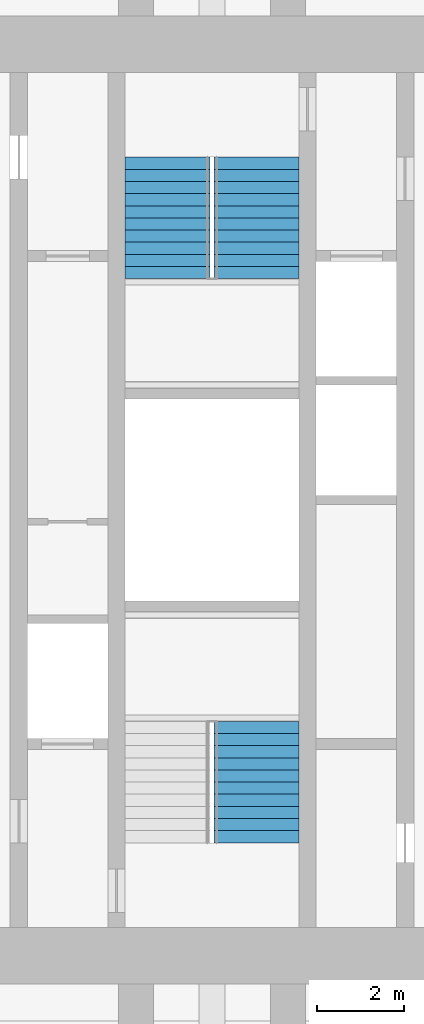
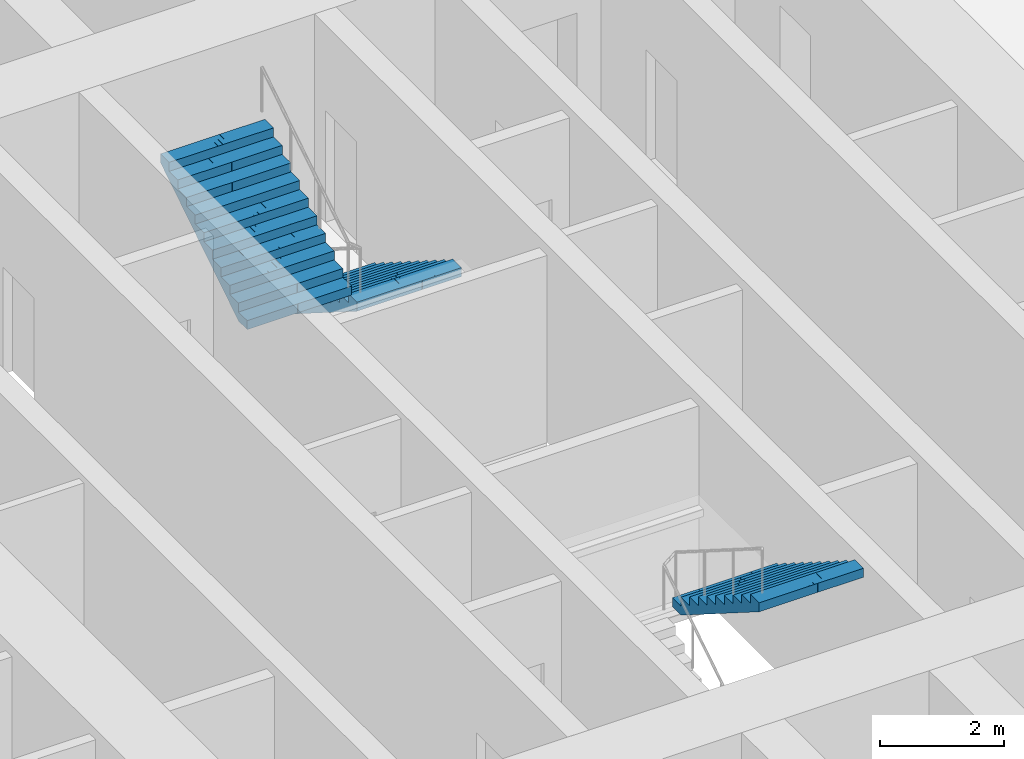
# One storey, part 16 of 17: 3 stair flights, 2 elements without a shape of their own.
"""IFC4 building model written with IfcOpenShell, lengths in metres."""

from ifc_helpers import new_model, si_unit, direction, frame, origin, place, context, subcontext, project, spatial, polyline, outline, extrude, material, type_object, element, aggregate, save


model = new_model("IFC4")

# Units and contexts
model_context = context("Model", 3, precision=1e-05, world=origin(), true_north=direction((0.0, 1.0)))
body_context = subcontext(model_context, "Body", "Model", "MODEL_VIEW")
ifc_project = project(units=[si_unit("LENGTHUNIT", "METRE"), si_unit("AREAUNIT", "SQUARE_METRE"), si_unit("VOLUMEUNIT", "CUBIC_METRE"), si_unit("PLANEANGLEUNIT", "RADIAN"), si_unit("MASSUNIT", "GRAM", prefix="KILO")], contexts=[model_context])

# Site, building, storey
site_placement = place(None, origin())
site = spatial("IfcSite", under=ifc_project, at=site_placement, CompositionType="ELEMENT")
building_placement = place(site_placement, origin())
building = spatial("IfcBuilding", under=site, at=building_placement, Name="Mizan Broadcast Tower", CompositionType="ELEMENT")
storey_placement = place(building_placement, frame((0.0, 0.0, 228.300048828125)))
storey = spatial("IfcBuildingStorey", under=building, at=storey_placement, Name="L53", CompositionType="ELEMENT", Elevation=228.300048828125)

# Stair, stair flight
ifc_material_1 = material(Name="Concrete C40/50", Category="concrete")
stair_type = type_object("IfcStairType", Name="EXIT STAIR", PredefinedType="HALF_TURN_STAIR", material=ifc_material_1)
stair_1_placement = place(storey_placement, origin())
stair_1 = element("IfcStair", 1, at=stair_1_placement, inside=storey, type_object=stair_type, Name="Stair A L53", PredefinedType="HALF_TURN_STAIR")
ifc_material_2 = material(Name="Concrete C40/50", Category="concrete")
stair_flight_type = type_object("IfcStairFlightType", Name="EXIT STAIR FLIGHT", PredefinedType="STRAIGHT", material=ifc_material_2)
stair_flight_1_placement = place(storey_placement, frame((1.02490234375, -5.10009765625, 1.949951171875), z_axis=(0.0, 0.0, 1.0), x_axis=(0.0, -1.0, 0.0)))
stair_flight_1 = element("IfcStairFlight", 2, at=stair_flight_1_placement, type_object=stair_flight_type, Name="A flight 2", NumberOfRisers=11, NumberOfTreads=10, PredefinedType="STRAIGHT", RiserHeight=0.177272727, TreadLength=0.28, context=body_context, shape_type="SweptSolid", body=[
    extrude(outline(polyline([(0.0, 0.0), (0.0, 0.17724609375), (0.280029296875, 0.17724609375), (0.280029296875, 0.3544921875), (0.56005859375, 0.3544921875), (0.56005859375, 0.53173828125), (0.840087890625, 0.53173828125), (0.840087890625, 0.708984375), (1.1201171875, 0.708984375), (1.1201171875, 0.886474609375), (1.39990234375, 0.886474609375), (1.39990234375, 1.063720703125), (1.679931640625, 1.063720703125), (1.679931640625, 1.240966796875), (1.9599609375, 1.240966796875), (1.9599609375, 1.418212890625), (2.239990234375, 1.418212890625), (2.239990234375, 1.595458984375), (2.52001953125, 1.595458984375), (2.52001953125, 1.772705078125), (2.800048828125, 1.772705078125), (2.800048828125, 1.949951171875), (2.800048828125, 1.59521484375), (0.2802734375, 0.0), (0.0, 0.0)])), frame((0.0, 0.97509765625, 0.0), z_axis=(0.0, -1.0, 0.0), x_axis=(1.0, 0.0, 0.0)), (0.0, 0.0, 1.0), 0.4873046875),
    extrude(outline(polyline([(0.0, 0.0), (0.0, 0.17724609375), (0.280029296875, 0.17724609375), (0.280029296875, 0.3544921875), (0.56005859375, 0.3544921875), (0.56005859375, 0.53173828125), (0.840087890625, 0.53173828125), (0.840087890625, 0.708984375), (1.1201171875, 0.708984375), (1.1201171875, 0.886474609375), (1.39990234375, 0.886474609375), (1.39990234375, 1.063720703125), (1.679931640625, 1.063720703125), (1.679931640625, 1.240966796875), (1.9599609375, 1.240966796875), (1.9599609375, 1.418212890625), (2.239990234375, 1.418212890625), (2.239990234375, 1.595458984375), (2.52001953125, 1.595458984375), (2.52001953125, 1.772705078125), (2.800048828125, 1.772705078125), (2.800048828125, 1.949951171875), (2.800048828125, 1.59521484375), (0.2802734375, 0.0), (0.0, 0.0)])), frame((0.0, 0.4873046875, 0.0), z_axis=(0.0, -1.0, 0.0), x_axis=(1.0, 0.0, 0.0)), (0.0, 0.0, 1.0), 0.2431640625),
    extrude(outline(polyline([(0.0, 0.0), (0.0, 0.17724609375), (0.280029296875, 0.17724609375), (0.280029296875, 0.3544921875), (0.56005859375, 0.3544921875), (0.56005859375, 0.53173828125), (0.840087890625, 0.53173828125), (0.840087890625, 0.708984375), (1.1201171875, 0.708984375), (1.1201171875, 0.886474609375), (1.39990234375, 0.886474609375), (1.39990234375, 1.063720703125), (1.679931640625, 1.063720703125), (1.679931640625, 1.240966796875), (1.9599609375, 1.240966796875), (1.9599609375, 1.418212890625), (2.239990234375, 1.418212890625), (2.239990234375, 1.595458984375), (2.52001953125, 1.595458984375), (2.52001953125, 1.772705078125), (2.800048828125, 1.772705078125), (2.800048828125, 1.949951171875), (2.800048828125, 1.59521484375), (0.2802734375, 0.0), (0.0, 0.0)])), frame((0.0, 0.24365234375, 0.0), z_axis=(0.0, -1.0, 0.0), x_axis=(1.0, 0.0, 0.0)), (0.0, 0.0, 1.0), 0.121337890625),
    extrude(outline(polyline([(0.0, 0.0), (0.0, 0.17724609375), (0.280029296875, 0.17724609375), (0.280029296875, 0.3544921875), (0.56005859375, 0.3544921875), (0.56005859375, 0.53173828125), (0.840087890625, 0.53173828125), (0.840087890625, 0.708984375), (1.1201171875, 0.708984375), (1.1201171875, 0.886474609375), (1.39990234375, 0.886474609375), (1.39990234375, 1.063720703125), (1.679931640625, 1.063720703125), (1.679931640625, 1.240966796875), (1.9599609375, 1.240966796875), (1.9599609375, 1.418212890625), (2.239990234375, 1.418212890625), (2.239990234375, 1.595458984375), (2.52001953125, 1.595458984375), (2.52001953125, 1.772705078125), (2.800048828125, 1.772705078125), (2.800048828125, 1.949951171875), (2.800048828125, 1.59521484375), (0.2802734375, 0.0), (0.0, 0.0)])), frame((0.0, 0.121826171875, 0.0), z_axis=(0.0, -1.0, 0.0), x_axis=(1.0, 0.0, 0.0)), (0.0, 0.0, 1.0), 0.060546875),
    extrude(outline(polyline([(0.0, 0.0), (0.0, 0.17724609375), (0.280029296875, 0.17724609375), (0.280029296875, 0.3544921875), (0.56005859375, 0.3544921875), (0.56005859375, 0.53173828125), (0.840087890625, 0.53173828125), (0.840087890625, 0.708984375), (1.1201171875, 0.708984375), (1.1201171875, 0.886474609375), (1.39990234375, 0.886474609375), (1.39990234375, 1.063720703125), (1.679931640625, 1.063720703125), (1.679931640625, 1.240966796875), (1.9599609375, 1.240966796875), (1.9599609375, 1.418212890625), (2.239990234375, 1.418212890625), (2.239990234375, 1.595458984375), (2.52001953125, 1.595458984375), (2.52001953125, 1.772705078125), (2.800048828125, 1.772705078125), (2.800048828125, 1.949951171875), (2.800048828125, 1.59521484375), (0.2802734375, 0.0), (0.0, 0.0)])), frame((0.0, 0.060791015625, 0.0), z_axis=(0.0, -1.0, 0.0), x_axis=(1.0, 0.0, 0.0)), (0.0, 0.0, 1.0), 0.030029296875),
    extrude(outline(polyline([(0.0, 0.0), (0.0, 0.17724609375), (0.280029296875, 0.17724609375), (0.280029296875, 0.3544921875), (0.56005859375, 0.3544921875), (0.56005859375, 0.53173828125), (0.840087890625, 0.53173828125), (0.840087890625, 0.708984375), (1.1201171875, 0.708984375), (1.1201171875, 0.886474609375), (1.39990234375, 0.886474609375), (1.39990234375, 1.063720703125), (1.679931640625, 1.063720703125), (1.679931640625, 1.240966796875), (1.9599609375, 1.240966796875), (1.9599609375, 1.418212890625), (2.239990234375, 1.418212890625), (2.239990234375, 1.595458984375), (2.52001953125, 1.595458984375), (2.52001953125, 1.772705078125), (2.800048828125, 1.772705078125), (2.800048828125, 1.949951171875), (2.800048828125, 1.59521484375), (0.2802734375, 0.0), (0.0, 0.0)])), frame((0.0, 0.0302734375, 0.0), z_axis=(0.0, -1.0, 0.0), x_axis=(1.0, 0.0, 0.0)), (0.0, 0.0, 1.0), 0.060302734375),
    extrude(outline(polyline([(0.0, 0.0), (0.0, 0.17724609375), (0.280029296875, 0.17724609375), (0.280029296875, 0.3544921875), (0.56005859375, 0.3544921875), (0.56005859375, 0.53173828125), (0.840087890625, 0.53173828125), (0.840087890625, 0.708984375), (1.1201171875, 0.708984375), (1.1201171875, 0.886474609375), (1.39990234375, 0.886474609375), (1.39990234375, 1.063720703125), (1.679931640625, 1.063720703125), (1.679931640625, 1.240966796875), (1.9599609375, 1.240966796875), (1.9599609375, 1.418212890625), (2.239990234375, 1.418212890625), (2.239990234375, 1.595458984375), (2.52001953125, 1.595458984375), (2.52001953125, 1.772705078125), (2.800048828125, 1.772705078125), (2.800048828125, 1.949951171875), (2.800048828125, 1.59521484375), (0.2802734375, 0.0), (0.0, 0.0)])), frame((0.0, -0.030517578125, 0.0), z_axis=(0.0, -1.0, 0.0), x_axis=(1.0, 0.0, 0.0)), (0.0, 0.0, 1.0), 0.030029296875),
    extrude(outline(polyline([(0.0, 0.0), (0.0, 0.17724609375), (0.280029296875, 0.17724609375), (0.280029296875, 0.3544921875), (0.56005859375, 0.3544921875), (0.56005859375, 0.53173828125), (0.840087890625, 0.53173828125), (0.840087890625, 0.708984375), (1.1201171875, 0.708984375), (1.1201171875, 0.886474609375), (1.39990234375, 0.886474609375), (1.39990234375, 1.063720703125), (1.679931640625, 1.063720703125), (1.679931640625, 1.240966796875), (1.9599609375, 1.240966796875), (1.9599609375, 1.418212890625), (2.239990234375, 1.418212890625), (2.239990234375, 1.595458984375), (2.52001953125, 1.595458984375), (2.52001953125, 1.772705078125), (2.800048828125, 1.772705078125), (2.800048828125, 1.949951171875), (2.800048828125, 1.59521484375), (0.2802734375, 0.0), (0.0, 0.0)])), frame((0.0, -0.06103515625, 0.0), z_axis=(0.0, -1.0, 0.0), x_axis=(1.0, 0.0, 0.0)), (0.0, 0.0, 1.0), 0.060546875),
    extrude(outline(polyline([(0.0, 0.0), (0.0, 0.17724609375), (0.280029296875, 0.17724609375), (0.280029296875, 0.3544921875), (0.56005859375, 0.3544921875), (0.56005859375, 0.53173828125), (0.840087890625, 0.53173828125), (0.840087890625, 0.708984375), (1.1201171875, 0.708984375), (1.1201171875, 0.886474609375), (1.39990234375, 0.886474609375), (1.39990234375, 1.063720703125), (1.679931640625, 1.063720703125), (1.679931640625, 1.240966796875), (1.9599609375, 1.240966796875), (1.9599609375, 1.418212890625), (2.239990234375, 1.418212890625), (2.239990234375, 1.595458984375), (2.52001953125, 1.595458984375), (2.52001953125, 1.772705078125), (2.800048828125, 1.772705078125), (2.800048828125, 1.949951171875), (2.800048828125, 1.59521484375), (0.2802734375, 0.0), (0.0, 0.0)])), frame((0.0, -0.1220703125, 0.0), z_axis=(0.0, -1.0, 0.0), x_axis=(1.0, 0.0, 0.0)), (0.0, 0.0, 1.0), 0.121337890625),
    extrude(outline(polyline([(0.0, 0.0), (0.0, 0.17724609375), (0.280029296875, 0.17724609375), (0.280029296875, 0.3544921875), (0.56005859375, 0.3544921875), (0.56005859375, 0.53173828125), (0.840087890625, 0.53173828125), (0.840087890625, 0.708984375), (1.1201171875, 0.708984375), (1.1201171875, 0.886474609375), (1.39990234375, 0.886474609375), (1.39990234375, 1.063720703125), (1.679931640625, 1.063720703125), (1.679931640625, 1.240966796875), (1.9599609375, 1.240966796875), (1.9599609375, 1.418212890625), (2.239990234375, 1.418212890625), (2.239990234375, 1.595458984375), (2.52001953125, 1.595458984375), (2.52001953125, 1.772705078125), (2.800048828125, 1.772705078125), (2.800048828125, 1.949951171875), (2.800048828125, 1.59521484375), (0.2802734375, 0.0), (0.0, 0.0)])), frame((0.0, -0.243896484375, 0.0), z_axis=(0.0, -1.0, 0.0), x_axis=(1.0, 0.0, 0.0)), (0.0, 0.0, 1.0), 0.2431640625),
    extrude(outline(polyline([(0.0, 0.0), (0.0, 0.17724609375), (0.280029296875, 0.17724609375), (0.280029296875, 0.3544921875), (0.56005859375, 0.3544921875), (0.56005859375, 0.53173828125), (0.840087890625, 0.53173828125), (0.840087890625, 0.708984375), (1.1201171875, 0.708984375), (1.1201171875, 0.886474609375), (1.39990234375, 0.886474609375), (1.39990234375, 1.063720703125), (1.679931640625, 1.063720703125), (1.679931640625, 1.240966796875), (1.9599609375, 1.240966796875), (1.9599609375, 1.418212890625), (2.239990234375, 1.418212890625), (2.239990234375, 1.595458984375), (2.52001953125, 1.595458984375), (2.52001953125, 1.772705078125), (2.800048828125, 1.772705078125), (2.800048828125, 1.949951171875), (2.800048828125, 1.59521484375), (0.2802734375, 0.0), (0.0, 0.0)])), frame((0.0, -0.487548828125, 0.0), z_axis=(0.0, -1.0, 0.0), x_axis=(1.0, 0.0, 0.0)), (0.0, 0.0, 1.0), 0.4873046875),
])
aggregate(stair_1, [stair_flight_1])

# Stair, stair flights
stair_2_placement = place(storey_placement, origin())
stair_2 = element("IfcStair", 3, at=stair_2_placement, inside=storey, type_object=stair_type, Name="Stair B L53", PredefinedType="HALF_TURN_STAIR")
stair_flight_2_placement = place(storey_placement, frame((1.02490234375, 7.89990234375, 0.0), z_axis=(0.0, 0.0, 1.0), x_axis=(0.0, -1.0, 0.0)))
stair_flight_2 = element("IfcStairFlight", 4, at=stair_flight_2_placement, type_object=stair_flight_type, Name="B flight 1", NumberOfRisers=11, NumberOfTreads=10, PredefinedType="STRAIGHT", RiserHeight=0.177272727, TreadLength=0.28, context=body_context, shape_type="SweptSolid", body=[
    extrude(outline(polyline([(0.0, 0.0), (0.0, 0.17724609375), (0.280029296875, 0.17724609375), (0.280029296875, 0.3544921875), (0.56005859375, 0.3544921875), (0.56005859375, 0.53173828125), (0.840087890625, 0.53173828125), (0.840087890625, 0.708984375), (1.1201171875, 0.708984375), (1.1201171875, 0.886474609375), (1.39990234375, 0.886474609375), (1.39990234375, 1.063720703125), (1.679931640625, 1.063720703125), (1.679931640625, 1.240966796875), (1.9599609375, 1.240966796875), (1.9599609375, 1.418212890625), (2.239990234375, 1.418212890625), (2.239990234375, 1.595458984375), (2.52001953125, 1.595458984375), (2.52001953125, 1.772705078125), (2.800048828125, 1.772705078125), (2.800048828125, 1.949951171875), (2.800048828125, 1.59521484375), (0.2802734375, 0.0), (0.0, 0.0)])), frame((0.0, 0.97509765625, 0.0), z_axis=(0.0, -1.0, 0.0), x_axis=(1.0, 0.0, 0.0)), (0.0, 0.0, 1.0), 0.4873046875),
    extrude(outline(polyline([(0.0, 0.0), (0.0, 0.17724609375), (0.280029296875, 0.17724609375), (0.280029296875, 0.3544921875), (0.56005859375, 0.3544921875), (0.56005859375, 0.53173828125), (0.840087890625, 0.53173828125), (0.840087890625, 0.708984375), (1.1201171875, 0.708984375), (1.1201171875, 0.886474609375), (1.39990234375, 0.886474609375), (1.39990234375, 1.063720703125), (1.679931640625, 1.063720703125), (1.679931640625, 1.240966796875), (1.9599609375, 1.240966796875), (1.9599609375, 1.418212890625), (2.239990234375, 1.418212890625), (2.239990234375, 1.595458984375), (2.52001953125, 1.595458984375), (2.52001953125, 1.772705078125), (2.800048828125, 1.772705078125), (2.800048828125, 1.949951171875), (2.800048828125, 1.59521484375), (0.2802734375, 0.0), (0.0, 0.0)])), frame((0.0, 0.4873046875, 0.0), z_axis=(0.0, -1.0, 0.0), x_axis=(1.0, 0.0, 0.0)), (0.0, 0.0, 1.0), 0.2431640625),
    extrude(outline(polyline([(0.0, 0.0), (0.0, 0.17724609375), (0.280029296875, 0.17724609375), (0.280029296875, 0.3544921875), (0.56005859375, 0.3544921875), (0.56005859375, 0.53173828125), (0.840087890625, 0.53173828125), (0.840087890625, 0.708984375), (1.1201171875, 0.708984375), (1.1201171875, 0.886474609375), (1.39990234375, 0.886474609375), (1.39990234375, 1.063720703125), (1.679931640625, 1.063720703125), (1.679931640625, 1.240966796875), (1.9599609375, 1.240966796875), (1.9599609375, 1.418212890625), (2.239990234375, 1.418212890625), (2.239990234375, 1.595458984375), (2.52001953125, 1.595458984375), (2.52001953125, 1.772705078125), (2.800048828125, 1.772705078125), (2.800048828125, 1.949951171875), (2.800048828125, 1.59521484375), (0.2802734375, 0.0), (0.0, 0.0)])), frame((0.0, 0.24365234375, 0.0), z_axis=(0.0, -1.0, 0.0), x_axis=(1.0, 0.0, 0.0)), (0.0, 0.0, 1.0), 0.121337890625),
    extrude(outline(polyline([(0.0, 0.0), (0.0, 0.17724609375), (0.280029296875, 0.17724609375), (0.280029296875, 0.3544921875), (0.56005859375, 0.3544921875), (0.56005859375, 0.53173828125), (0.840087890625, 0.53173828125), (0.840087890625, 0.708984375), (1.1201171875, 0.708984375), (1.1201171875, 0.886474609375), (1.39990234375, 0.886474609375), (1.39990234375, 1.063720703125), (1.679931640625, 1.063720703125), (1.679931640625, 1.240966796875), (1.9599609375, 1.240966796875), (1.9599609375, 1.418212890625), (2.239990234375, 1.418212890625), (2.239990234375, 1.595458984375), (2.52001953125, 1.595458984375), (2.52001953125, 1.772705078125), (2.800048828125, 1.772705078125), (2.800048828125, 1.949951171875), (2.800048828125, 1.59521484375), (0.2802734375, 0.0), (0.0, 0.0)])), frame((0.0, 0.121826171875, 0.0), z_axis=(0.0, -1.0, 0.0), x_axis=(1.0, 0.0, 0.0)), (0.0, 0.0, 1.0), 0.060546875),
    extrude(outline(polyline([(0.0, 0.0), (0.0, 0.17724609375), (0.280029296875, 0.17724609375), (0.280029296875, 0.3544921875), (0.56005859375, 0.3544921875), (0.56005859375, 0.53173828125), (0.840087890625, 0.53173828125), (0.840087890625, 0.708984375), (1.1201171875, 0.708984375), (1.1201171875, 0.886474609375), (1.39990234375, 0.886474609375), (1.39990234375, 1.063720703125), (1.679931640625, 1.063720703125), (1.679931640625, 1.240966796875), (1.9599609375, 1.240966796875), (1.9599609375, 1.418212890625), (2.239990234375, 1.418212890625), (2.239990234375, 1.595458984375), (2.52001953125, 1.595458984375), (2.52001953125, 1.772705078125), (2.800048828125, 1.772705078125), (2.800048828125, 1.949951171875), (2.800048828125, 1.59521484375), (0.2802734375, 0.0), (0.0, 0.0)])), frame((0.0, 0.060791015625, 0.0), z_axis=(0.0, -1.0, 0.0), x_axis=(1.0, 0.0, 0.0)), (0.0, 0.0, 1.0), 0.030029296875),
    extrude(outline(polyline([(0.0, 0.0), (0.0, 0.17724609375), (0.280029296875, 0.17724609375), (0.280029296875, 0.3544921875), (0.56005859375, 0.3544921875), (0.56005859375, 0.53173828125), (0.840087890625, 0.53173828125), (0.840087890625, 0.708984375), (1.1201171875, 0.708984375), (1.1201171875, 0.886474609375), (1.39990234375, 0.886474609375), (1.39990234375, 1.063720703125), (1.679931640625, 1.063720703125), (1.679931640625, 1.240966796875), (1.9599609375, 1.240966796875), (1.9599609375, 1.418212890625), (2.239990234375, 1.418212890625), (2.239990234375, 1.595458984375), (2.52001953125, 1.595458984375), (2.52001953125, 1.772705078125), (2.800048828125, 1.772705078125), (2.800048828125, 1.949951171875), (2.800048828125, 1.59521484375), (0.2802734375, 0.0), (0.0, 0.0)])), frame((0.0, 0.0302734375, 0.0), z_axis=(0.0, -1.0, 0.0), x_axis=(1.0, 0.0, 0.0)), (0.0, 0.0, 1.0), 0.060302734375),
    extrude(outline(polyline([(0.0, 0.0), (0.0, 0.17724609375), (0.280029296875, 0.17724609375), (0.280029296875, 0.3544921875), (0.56005859375, 0.3544921875), (0.56005859375, 0.53173828125), (0.840087890625, 0.53173828125), (0.840087890625, 0.708984375), (1.1201171875, 0.708984375), (1.1201171875, 0.886474609375), (1.39990234375, 0.886474609375), (1.39990234375, 1.063720703125), (1.679931640625, 1.063720703125), (1.679931640625, 1.240966796875), (1.9599609375, 1.240966796875), (1.9599609375, 1.418212890625), (2.239990234375, 1.418212890625), (2.239990234375, 1.595458984375), (2.52001953125, 1.595458984375), (2.52001953125, 1.772705078125), (2.800048828125, 1.772705078125), (2.800048828125, 1.949951171875), (2.800048828125, 1.59521484375), (0.2802734375, 0.0), (0.0, 0.0)])), frame((0.0, -0.030517578125, 0.0), z_axis=(0.0, -1.0, 0.0), x_axis=(1.0, 0.0, 0.0)), (0.0, 0.0, 1.0), 0.030029296875),
    extrude(outline(polyline([(0.0, 0.0), (0.0, 0.17724609375), (0.280029296875, 0.17724609375), (0.280029296875, 0.3544921875), (0.56005859375, 0.3544921875), (0.56005859375, 0.53173828125), (0.840087890625, 0.53173828125), (0.840087890625, 0.708984375), (1.1201171875, 0.708984375), (1.1201171875, 0.886474609375), (1.39990234375, 0.886474609375), (1.39990234375, 1.063720703125), (1.679931640625, 1.063720703125), (1.679931640625, 1.240966796875), (1.9599609375, 1.240966796875), (1.9599609375, 1.418212890625), (2.239990234375, 1.418212890625), (2.239990234375, 1.595458984375), (2.52001953125, 1.595458984375), (2.52001953125, 1.772705078125), (2.800048828125, 1.772705078125), (2.800048828125, 1.949951171875), (2.800048828125, 1.59521484375), (0.2802734375, 0.0), (0.0, 0.0)])), frame((0.0, -0.06103515625, 0.0), z_axis=(0.0, -1.0, 0.0), x_axis=(1.0, 0.0, 0.0)), (0.0, 0.0, 1.0), 0.060546875),
    extrude(outline(polyline([(0.0, 0.0), (0.0, 0.17724609375), (0.280029296875, 0.17724609375), (0.280029296875, 0.3544921875), (0.56005859375, 0.3544921875), (0.56005859375, 0.53173828125), (0.840087890625, 0.53173828125), (0.840087890625, 0.708984375), (1.1201171875, 0.708984375), (1.1201171875, 0.886474609375), (1.39990234375, 0.886474609375), (1.39990234375, 1.063720703125), (1.679931640625, 1.063720703125), (1.679931640625, 1.240966796875), (1.9599609375, 1.240966796875), (1.9599609375, 1.418212890625), (2.239990234375, 1.418212890625), (2.239990234375, 1.595458984375), (2.52001953125, 1.595458984375), (2.52001953125, 1.772705078125), (2.800048828125, 1.772705078125), (2.800048828125, 1.949951171875), (2.800048828125, 1.59521484375), (0.2802734375, 0.0), (0.0, 0.0)])), frame((0.0, -0.1220703125, 0.0), z_axis=(0.0, -1.0, 0.0), x_axis=(1.0, 0.0, 0.0)), (0.0, 0.0, 1.0), 0.121337890625),
    extrude(outline(polyline([(0.0, 0.0), (0.0, 0.17724609375), (0.280029296875, 0.17724609375), (0.280029296875, 0.3544921875), (0.56005859375, 0.3544921875), (0.56005859375, 0.53173828125), (0.840087890625, 0.53173828125), (0.840087890625, 0.708984375), (1.1201171875, 0.708984375), (1.1201171875, 0.886474609375), (1.39990234375, 0.886474609375), (1.39990234375, 1.063720703125), (1.679931640625, 1.063720703125), (1.679931640625, 1.240966796875), (1.9599609375, 1.240966796875), (1.9599609375, 1.418212890625), (2.239990234375, 1.418212890625), (2.239990234375, 1.595458984375), (2.52001953125, 1.595458984375), (2.52001953125, 1.772705078125), (2.800048828125, 1.772705078125), (2.800048828125, 1.949951171875), (2.800048828125, 1.59521484375), (0.2802734375, 0.0), (0.0, 0.0)])), frame((0.0, -0.243896484375, 0.0), z_axis=(0.0, -1.0, 0.0), x_axis=(1.0, 0.0, 0.0)), (0.0, 0.0, 1.0), 0.2431640625),
    extrude(outline(polyline([(0.0, 0.0), (0.0, 0.17724609375), (0.280029296875, 0.17724609375), (0.280029296875, 0.3544921875), (0.56005859375, 0.3544921875), (0.56005859375, 0.53173828125), (0.840087890625, 0.53173828125), (0.840087890625, 0.708984375), (1.1201171875, 0.708984375), (1.1201171875, 0.886474609375), (1.39990234375, 0.886474609375), (1.39990234375, 1.063720703125), (1.679931640625, 1.063720703125), (1.679931640625, 1.240966796875), (1.9599609375, 1.240966796875), (1.9599609375, 1.418212890625), (2.239990234375, 1.418212890625), (2.239990234375, 1.595458984375), (2.52001953125, 1.595458984375), (2.52001953125, 1.772705078125), (2.800048828125, 1.772705078125), (2.800048828125, 1.949951171875), (2.800048828125, 1.59521484375), (0.2802734375, 0.0), (0.0, 0.0)])), frame((0.0, -0.487548828125, 0.0), z_axis=(0.0, -1.0, 0.0), x_axis=(1.0, 0.0, 0.0)), (0.0, 0.0, 1.0), 0.4873046875),
])
stair_flight_3_placement = place(storey_placement, frame((-1.02490234375, 5.10009765625, 1.949951171875), z_axis=(0.0, 0.0, 1.0), x_axis=(0.0, 1.0, 0.0)))
stair_flight_3 = element("IfcStairFlight", 5, at=stair_flight_3_placement, type_object=stair_flight_type, Name="B flight 2", NumberOfRisers=11, NumberOfTreads=10, PredefinedType="STRAIGHT", RiserHeight=0.177272727, TreadLength=0.28, context=body_context, shape_type="SweptSolid", body=[
    extrude(outline(polyline([(0.0, 0.0), (0.0, 0.17724609375), (0.280029296875, 0.17724609375), (0.280029296875, 0.3544921875), (0.56005859375, 0.3544921875), (0.56005859375, 0.53173828125), (0.840087890625, 0.53173828125), (0.840087890625, 0.708984375), (1.1201171875, 0.708984375), (1.1201171875, 0.886474609375), (1.39990234375, 0.886474609375), (1.39990234375, 1.063720703125), (1.679931640625, 1.063720703125), (1.679931640625, 1.240966796875), (1.9599609375, 1.240966796875), (1.9599609375, 1.418212890625), (2.239990234375, 1.418212890625), (2.239990234375, 1.595458984375), (2.52001953125, 1.595458984375), (2.52001953125, 1.772705078125), (2.800048828125, 1.772705078125), (2.800048828125, 1.949951171875), (2.800048828125, 1.59521484375), (0.2802734375, 0.0), (0.0, 0.0)])), frame((0.0, 0.97509765625, 0.0), z_axis=(0.0, -1.0, 0.0), x_axis=(1.0, 0.0, 0.0)), (0.0, 0.0, 1.0), 0.4873046875),
    extrude(outline(polyline([(0.0, 0.0), (0.0, 0.17724609375), (0.280029296875, 0.17724609375), (0.280029296875, 0.3544921875), (0.56005859375, 0.3544921875), (0.56005859375, 0.53173828125), (0.840087890625, 0.53173828125), (0.840087890625, 0.708984375), (1.1201171875, 0.708984375), (1.1201171875, 0.886474609375), (1.39990234375, 0.886474609375), (1.39990234375, 1.063720703125), (1.679931640625, 1.063720703125), (1.679931640625, 1.240966796875), (1.9599609375, 1.240966796875), (1.9599609375, 1.418212890625), (2.239990234375, 1.418212890625), (2.239990234375, 1.595458984375), (2.52001953125, 1.595458984375), (2.52001953125, 1.772705078125), (2.800048828125, 1.772705078125), (2.800048828125, 1.949951171875), (2.800048828125, 1.59521484375), (0.2802734375, 0.0), (0.0, 0.0)])), frame((0.0, 0.4873046875, 0.0), z_axis=(0.0, -1.0, 0.0), x_axis=(1.0, 0.0, 0.0)), (0.0, 0.0, 1.0), 0.2431640625),
    extrude(outline(polyline([(0.0, 0.0), (0.0, 0.17724609375), (0.280029296875, 0.17724609375), (0.280029296875, 0.3544921875), (0.56005859375, 0.3544921875), (0.56005859375, 0.53173828125), (0.840087890625, 0.53173828125), (0.840087890625, 0.708984375), (1.1201171875, 0.708984375), (1.1201171875, 0.886474609375), (1.39990234375, 0.886474609375), (1.39990234375, 1.063720703125), (1.679931640625, 1.063720703125), (1.679931640625, 1.240966796875), (1.9599609375, 1.240966796875), (1.9599609375, 1.418212890625), (2.239990234375, 1.418212890625), (2.239990234375, 1.595458984375), (2.52001953125, 1.595458984375), (2.52001953125, 1.772705078125), (2.800048828125, 1.772705078125), (2.800048828125, 1.949951171875), (2.800048828125, 1.59521484375), (0.2802734375, 0.0), (0.0, 0.0)])), frame((0.0, 0.24365234375, 0.0), z_axis=(0.0, -1.0, 0.0), x_axis=(1.0, 0.0, 0.0)), (0.0, 0.0, 1.0), 0.121337890625),
    extrude(outline(polyline([(0.0, 0.0), (0.0, 0.17724609375), (0.280029296875, 0.17724609375), (0.280029296875, 0.3544921875), (0.56005859375, 0.3544921875), (0.56005859375, 0.53173828125), (0.840087890625, 0.53173828125), (0.840087890625, 0.708984375), (1.1201171875, 0.708984375), (1.1201171875, 0.886474609375), (1.39990234375, 0.886474609375), (1.39990234375, 1.063720703125), (1.679931640625, 1.063720703125), (1.679931640625, 1.240966796875), (1.9599609375, 1.240966796875), (1.9599609375, 1.418212890625), (2.239990234375, 1.418212890625), (2.239990234375, 1.595458984375), (2.52001953125, 1.595458984375), (2.52001953125, 1.772705078125), (2.800048828125, 1.772705078125), (2.800048828125, 1.949951171875), (2.800048828125, 1.59521484375), (0.2802734375, 0.0), (0.0, 0.0)])), frame((0.0, 0.121826171875, 0.0), z_axis=(0.0, -1.0, 0.0), x_axis=(1.0, 0.0, 0.0)), (0.0, 0.0, 1.0), 0.060546875),
    extrude(outline(polyline([(0.0, 0.0), (0.0, 0.17724609375), (0.280029296875, 0.17724609375), (0.280029296875, 0.3544921875), (0.56005859375, 0.3544921875), (0.56005859375, 0.53173828125), (0.840087890625, 0.53173828125), (0.840087890625, 0.708984375), (1.1201171875, 0.708984375), (1.1201171875, 0.886474609375), (1.39990234375, 0.886474609375), (1.39990234375, 1.063720703125), (1.679931640625, 1.063720703125), (1.679931640625, 1.240966796875), (1.9599609375, 1.240966796875), (1.9599609375, 1.418212890625), (2.239990234375, 1.418212890625), (2.239990234375, 1.595458984375), (2.52001953125, 1.595458984375), (2.52001953125, 1.772705078125), (2.800048828125, 1.772705078125), (2.800048828125, 1.949951171875), (2.800048828125, 1.59521484375), (0.2802734375, 0.0), (0.0, 0.0)])), frame((0.0, 0.060791015625, 0.0), z_axis=(0.0, -1.0, 0.0), x_axis=(1.0, 0.0, 0.0)), (0.0, 0.0, 1.0), 0.030029296875),
    extrude(outline(polyline([(0.0, 0.0), (0.0, 0.17724609375), (0.280029296875, 0.17724609375), (0.280029296875, 0.3544921875), (0.56005859375, 0.3544921875), (0.56005859375, 0.53173828125), (0.840087890625, 0.53173828125), (0.840087890625, 0.708984375), (1.1201171875, 0.708984375), (1.1201171875, 0.886474609375), (1.39990234375, 0.886474609375), (1.39990234375, 1.063720703125), (1.679931640625, 1.063720703125), (1.679931640625, 1.240966796875), (1.9599609375, 1.240966796875), (1.9599609375, 1.418212890625), (2.239990234375, 1.418212890625), (2.239990234375, 1.595458984375), (2.52001953125, 1.595458984375), (2.52001953125, 1.772705078125), (2.800048828125, 1.772705078125), (2.800048828125, 1.949951171875), (2.800048828125, 1.59521484375), (0.2802734375, 0.0), (0.0, 0.0)])), frame((0.0, 0.0302734375, 0.0), z_axis=(0.0, -1.0, 0.0), x_axis=(1.0, 0.0, 0.0)), (0.0, 0.0, 1.0), 0.060302734375),
    extrude(outline(polyline([(0.0, 0.0), (0.0, 0.17724609375), (0.280029296875, 0.17724609375), (0.280029296875, 0.3544921875), (0.56005859375, 0.3544921875), (0.56005859375, 0.53173828125), (0.840087890625, 0.53173828125), (0.840087890625, 0.708984375), (1.1201171875, 0.708984375), (1.1201171875, 0.886474609375), (1.39990234375, 0.886474609375), (1.39990234375, 1.063720703125), (1.679931640625, 1.063720703125), (1.679931640625, 1.240966796875), (1.9599609375, 1.240966796875), (1.9599609375, 1.418212890625), (2.239990234375, 1.418212890625), (2.239990234375, 1.595458984375), (2.52001953125, 1.595458984375), (2.52001953125, 1.772705078125), (2.800048828125, 1.772705078125), (2.800048828125, 1.949951171875), (2.800048828125, 1.59521484375), (0.2802734375, 0.0), (0.0, 0.0)])), frame((0.0, -0.030517578125, 0.0), z_axis=(0.0, -1.0, 0.0), x_axis=(1.0, 0.0, 0.0)), (0.0, 0.0, 1.0), 0.030029296875),
    extrude(outline(polyline([(0.0, 0.0), (0.0, 0.17724609375), (0.280029296875, 0.17724609375), (0.280029296875, 0.3544921875), (0.56005859375, 0.3544921875), (0.56005859375, 0.53173828125), (0.840087890625, 0.53173828125), (0.840087890625, 0.708984375), (1.1201171875, 0.708984375), (1.1201171875, 0.886474609375), (1.39990234375, 0.886474609375), (1.39990234375, 1.063720703125), (1.679931640625, 1.063720703125), (1.679931640625, 1.240966796875), (1.9599609375, 1.240966796875), (1.9599609375, 1.418212890625), (2.239990234375, 1.418212890625), (2.239990234375, 1.595458984375), (2.52001953125, 1.595458984375), (2.52001953125, 1.772705078125), (2.800048828125, 1.772705078125), (2.800048828125, 1.949951171875), (2.800048828125, 1.59521484375), (0.2802734375, 0.0), (0.0, 0.0)])), frame((0.0, -0.06103515625, 0.0), z_axis=(0.0, -1.0, 0.0), x_axis=(1.0, 0.0, 0.0)), (0.0, 0.0, 1.0), 0.060546875),
    extrude(outline(polyline([(0.0, 0.0), (0.0, 0.17724609375), (0.280029296875, 0.17724609375), (0.280029296875, 0.3544921875), (0.56005859375, 0.3544921875), (0.56005859375, 0.53173828125), (0.840087890625, 0.53173828125), (0.840087890625, 0.708984375), (1.1201171875, 0.708984375), (1.1201171875, 0.886474609375), (1.39990234375, 0.886474609375), (1.39990234375, 1.063720703125), (1.679931640625, 1.063720703125), (1.679931640625, 1.240966796875), (1.9599609375, 1.240966796875), (1.9599609375, 1.418212890625), (2.239990234375, 1.418212890625), (2.239990234375, 1.595458984375), (2.52001953125, 1.595458984375), (2.52001953125, 1.772705078125), (2.800048828125, 1.772705078125), (2.800048828125, 1.949951171875), (2.800048828125, 1.59521484375), (0.2802734375, 0.0), (0.0, 0.0)])), frame((0.0, -0.1220703125, 0.0), z_axis=(0.0, -1.0, 0.0), x_axis=(1.0, 0.0, 0.0)), (0.0, 0.0, 1.0), 0.121337890625),
    extrude(outline(polyline([(0.0, 0.0), (0.0, 0.17724609375), (0.280029296875, 0.17724609375), (0.280029296875, 0.3544921875), (0.56005859375, 0.3544921875), (0.56005859375, 0.53173828125), (0.840087890625, 0.53173828125), (0.840087890625, 0.708984375), (1.1201171875, 0.708984375), (1.1201171875, 0.886474609375), (1.39990234375, 0.886474609375), (1.39990234375, 1.063720703125), (1.679931640625, 1.063720703125), (1.679931640625, 1.240966796875), (1.9599609375, 1.240966796875), (1.9599609375, 1.418212890625), (2.239990234375, 1.418212890625), (2.239990234375, 1.595458984375), (2.52001953125, 1.595458984375), (2.52001953125, 1.772705078125), (2.800048828125, 1.772705078125), (2.800048828125, 1.949951171875), (2.800048828125, 1.59521484375), (0.2802734375, 0.0), (0.0, 0.0)])), frame((0.0, -0.243896484375, 0.0), z_axis=(0.0, -1.0, 0.0), x_axis=(1.0, 0.0, 0.0)), (0.0, 0.0, 1.0), 0.2431640625),
    extrude(outline(polyline([(0.0, 0.0), (0.0, 0.17724609375), (0.280029296875, 0.17724609375), (0.280029296875, 0.3544921875), (0.56005859375, 0.3544921875), (0.56005859375, 0.53173828125), (0.840087890625, 0.53173828125), (0.840087890625, 0.708984375), (1.1201171875, 0.708984375), (1.1201171875, 0.886474609375), (1.39990234375, 0.886474609375), (1.39990234375, 1.063720703125), (1.679931640625, 1.063720703125), (1.679931640625, 1.240966796875), (1.9599609375, 1.240966796875), (1.9599609375, 1.418212890625), (2.239990234375, 1.418212890625), (2.239990234375, 1.595458984375), (2.52001953125, 1.595458984375), (2.52001953125, 1.772705078125), (2.800048828125, 1.772705078125), (2.800048828125, 1.949951171875), (2.800048828125, 1.59521484375), (0.2802734375, 0.0), (0.0, 0.0)])), frame((0.0, -0.487548828125, 0.0), z_axis=(0.0, -1.0, 0.0), x_axis=(1.0, 0.0, 0.0)), (0.0, 0.0, 1.0), 0.4873046875),
])
aggregate(stair_2, [stair_flight_2, stair_flight_3])

save(model, "model.ifc")
